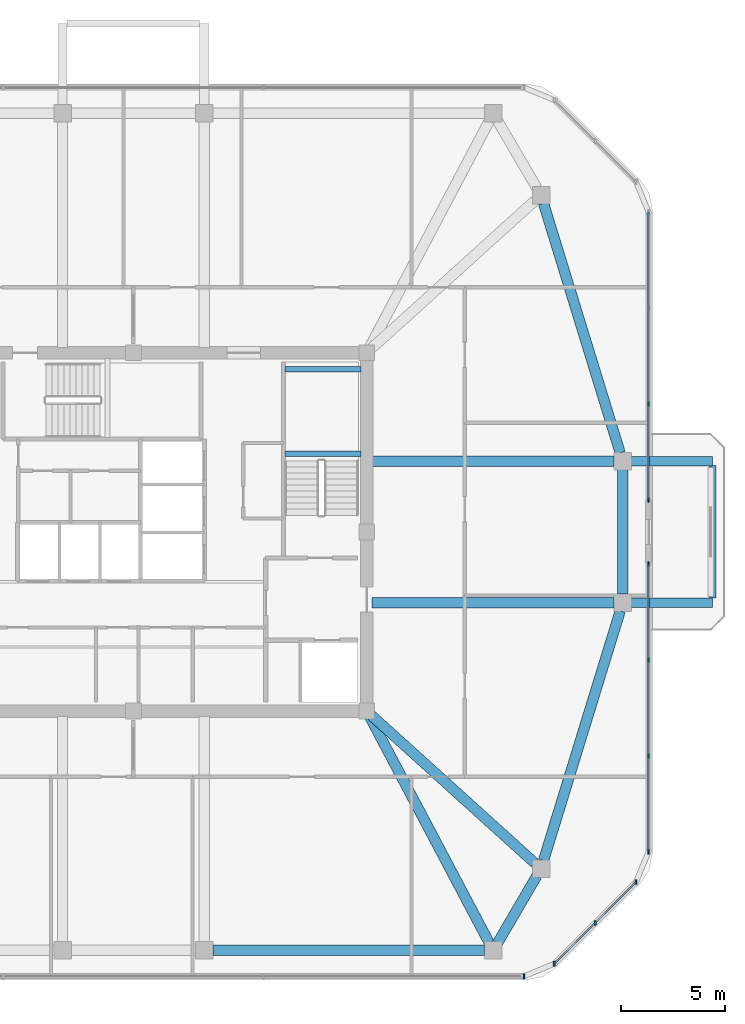
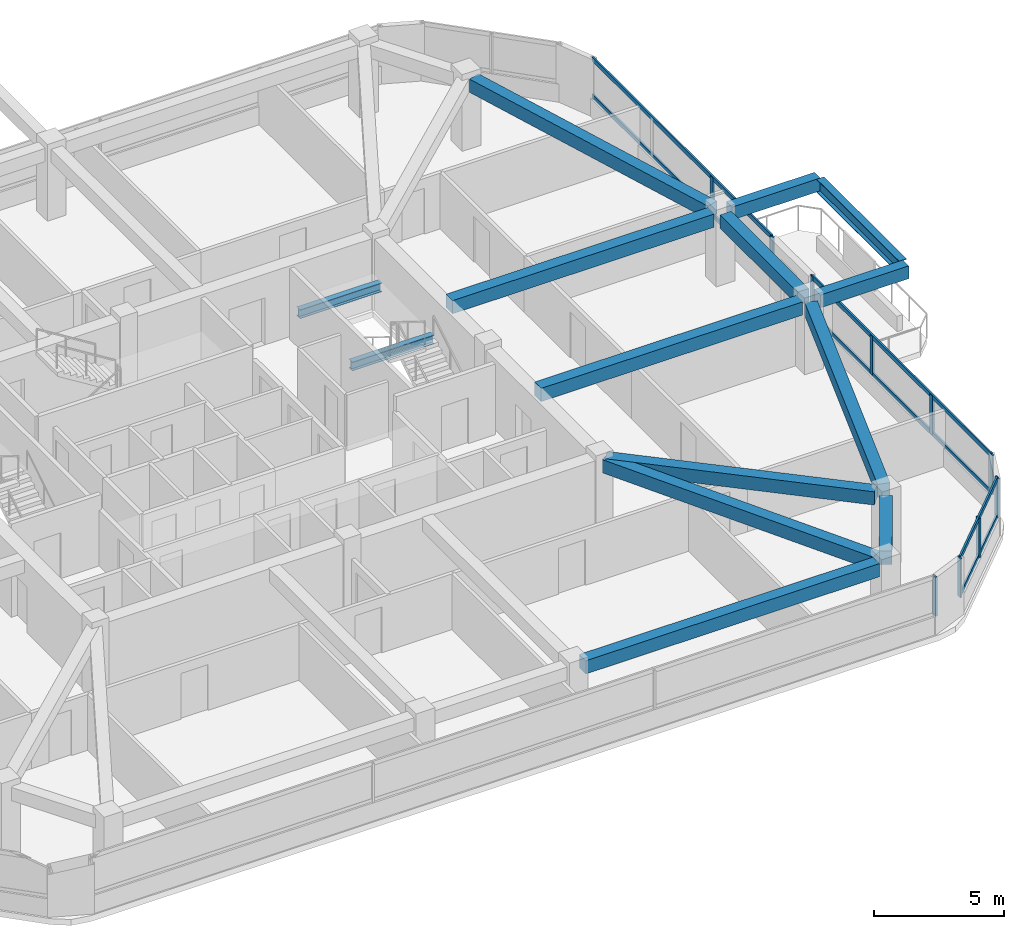
# One storey, part 5 of 14: 16 members, 14 beams, 4 elements without a shape of their own.
"""IFC4 building model written with IfcOpenShell, lengths in metres."""

import ifcopenshell
import ifcopenshell.guid

model = None  # the IFC model being written
_history = None  # IfcOwnerHistory: only IFC2X3 demands one
_inside = {}  # id of a spatial element -> (the spatial element, [elements in it])
_under = {}  # id of a project, library or spatial element -> (it, [spatial elements below it])
_declared = {}  # id of a project -> (the project, [libraries it declares])
_typed = {}  # id of a type object -> (the type object, [elements of that type])
_made_of = {}  # id of a material, layer set ... -> (it, [elements and type objects made of it])


def new_model(schema):
    """Start an empty IFC model of exactly this schema.

    Asked for "IFC4X3", IfcOpenShell would pick the latest addendum, in which some entities
    have other attributes; the version numbers below select the first issue.
    IFC2X3 requires an IfcOwnerHistory on every rooted entity: one is made here for all.
    """
    global model, _history
    if schema == "IFC4X3":
        model = ifcopenshell.file(schema_version=(4, 3, 0, 0))
    else:
        model = ifcopenshell.file(schema=schema)
    _inside.clear()
    _under.clear()
    _declared.clear()
    _typed.clear()
    _made_of.clear()
    _history = None
    if model.schema == "IFC2X3":
        org = make("IfcOrganization", Name="unknown")
        user = make(
            "IfcPersonAndOrganization",
            ThePerson=make("IfcPerson", FamilyName="unknown"),
            TheOrganization=org,
        )
        app = make(
            "IfcApplication",
            ApplicationDeveloper=org,
            Version="unknown",
            ApplicationFullName="unknown",
            ApplicationIdentifier="unknown",
        )
        _history = make(
            "IfcOwnerHistory",
            OwningUser=user,
            OwningApplication=app,
            ChangeAction="ADDED",
            CreationDate=0,
        )
    return model


def make(cls, **values):
    """One entity of the class cls with the attributes given. An attribute that is None is left unset."""
    return model.create_entity(
        cls, **{name: value for name, value in values.items() if value is not None}
    )


def rooted(cls, **values):
    """An entity with a GlobalId (a new one), such as an element, a storey or a relation."""
    return make(cls, GlobalId=ifcopenshell.guid.new(), OwnerHistory=_history, **values)


def si_unit(unit_type, name, prefix=None):
    """IfcSIUnit, for example si_unit("LENGTHUNIT", "METRE", prefix="MILLI")."""
    return make("IfcSIUnit", UnitType=unit_type, Prefix=prefix, Name=name)


def derived_unit(unit_type, elements):
    """IfcDerivedUnit: a product of units, each with its exponent."""
    return make(
        "IfcDerivedUnit",
        Elements=[
            make("IfcDerivedUnitElement", Unit=unit, Exponent=power)
            for unit, power in elements
        ],
        UnitType=unit_type,
    )


def assignment(units):
    """IfcUnitAssignment: the units of a project."""
    return None if units is None else make("IfcUnitAssignment", Units=units)


def point(xyz):
    """IfcCartesianPoint."""
    return None if xyz is None else make("IfcCartesianPoint", Coordinates=xyz)


def direction(xyz):
    """IfcDirection."""
    return None if xyz is None else make("IfcDirection", DirectionRatios=xyz)


def frame(location, z_axis=None, x_axis=None):
    """IfcAxis2Placement3D, a coordinate frame: its origin and axes. An axis left out is left unset."""
    return make(
        "IfcAxis2Placement3D",
        Location=point(location),
        Axis=direction(z_axis),
        RefDirection=direction(x_axis),
    )


def frame_2d(location, x_axis=None):
    """IfcAxis2Placement2D, a coordinate frame in the plane: its origin and x axis."""
    return make(
        "IfcAxis2Placement2D", Location=point(location), RefDirection=direction(x_axis)
    )


def origin():
    """The frame at (0, 0, 0) with its axes left unset."""
    return frame((0.0, 0.0, 0.0))


def origin_2d():
    """The frame at (0, 0) in the plane with its x axis left unset."""
    return frame_2d((0.0, 0.0))


def place(relative_to, where):
    """IfcLocalPlacement: puts the frame where relative to a parent placement (None: the world)."""
    return make(
        "IfcLocalPlacement", PlacementRelTo=relative_to, RelativePlacement=where
    )


def context(
    kind, dimensions, precision=None, world=None, true_north=None, identifier=None
):
    """IfcGeometricRepresentationContext, for example the 3D "Model" context."""
    return make(
        "IfcGeometricRepresentationContext",
        ContextIdentifier=identifier,
        ContextType=kind,
        CoordinateSpaceDimension=dimensions,
        Precision=precision,
        WorldCoordinateSystem=world,
        TrueNorth=true_north,
    )


def subcontext(parent, identifier, kind, view, scale=None):
    """IfcGeometricRepresentationSubContext, for example "Body" below "Model"."""
    return make(
        "IfcGeometricRepresentationSubContext",
        ContextIdentifier=identifier,
        ContextType=kind,
        ParentContext=parent,
        TargetScale=scale,
        TargetView=view,
    )


def project(units=None, contexts=None):
    """IfcProject with its units and contexts."""
    return rooted(
        "IfcProject",
        Name="project",
        RepresentationContexts=contexts,
        UnitsInContext=assignment(units),
    )


def spatial(cls, under=None, at=None, **own):
    """A site, building, storey or space (cls), placed at a placement, below another one or the project."""
    s = rooted(cls, ObjectPlacement=at, **own)
    if under is not None:
        _under.setdefault(under.id(), (under, []))[1].append(s)
    return s


def profile(cls, at=None, kind="AREA", **sizes):
    """A parametric profile (cls). Its sizes go by their IFC names, for example OverallWidth=200.0."""
    return make(cls, ProfileType=kind, Position=at, **sizes)


def rectangle(**sizes):
    """IfcRectangleProfileDef."""
    return profile("IfcRectangleProfileDef", **sizes)


def i_section(**sizes):
    """IfcIShapeProfileDef."""
    return profile("IfcIShapeProfileDef", **sizes)


def extrude(swept, where, along, depth):
    """IfcExtrudedAreaSolid: the profile swept, set in the frame where, extruded along a direction by depth."""
    return make(
        "IfcExtrudedAreaSolid",
        SweptArea=swept,
        Position=where,
        ExtrudedDirection=direction(along),
        Depth=depth,
    )


def shape(context_of_items, identifier, shape_type, items):
    """IfcShapeRepresentation: the items that make up one representation, for example the "Body"."""
    return make(
        "IfcShapeRepresentation",
        ContextOfItems=context_of_items,
        RepresentationIdentifier=identifier,
        RepresentationType=shape_type,
        Items=items,
    )


def material(Name=None, Category=None):
    """IfcMaterial."""
    return make("IfcMaterial", Name=Name, Category=Category)


def material_profile(
    of_material, cross_section, Name=None, Category=None, Priority=None
):
    """IfcMaterialProfile: a cross section and its material."""
    return make(
        "IfcMaterialProfile",
        Name=Name,
        Material=of_material,
        Profile=cross_section,
        Priority=Priority,
        Category=Category,
    )


def profile_set(profiles, Name=None, composite=None):
    """IfcMaterialProfileSet."""
    return make(
        "IfcMaterialProfileSet",
        Name=Name,
        MaterialProfiles=profiles,
        CompositeProfile=composite,
    )


def made_of(thing, what):
    """Note that an element or type object is made of a material, layer set ...; save() writes the relation."""
    if what is not None:
        _made_of.setdefault(what.id(), (what, []))[1].append(thing)
    return thing


def type_object(cls, material=None, **own):
    """A type object (cls), such as IfcWallType, which elements share."""
    return made_of(rooted(cls, **own), material)


def element(
    cls,
    number,
    at=None,
    inside=None,
    cuts=None,
    type_object=None,
    material=None,
    context=None,
    identifier="Body",
    shape_type=None,
    held_by="IfcProductDefinitionShape",
    body=None,
    shapes=None,
    **own,
):
    """One element of the class cls, such as IfcWall. Its Tag is "e" and its number.

    at: its placement. inside: the storey or other place that contains it. cuts: it is an
    opening in that element (IfcRelVoidsElement). A single representation is given by context,
    identifier, shape_type and body (its items); several are given by shapes. held_by: the class
    of the entity that holds the representations. save() writes the other relations.
    """
    e = rooted(cls, Tag="e%d" % number, ObjectPlacement=at, **own)
    if body is not None:
        shapes = [shape(context, identifier, shape_type, body)]
    if shapes is not None:
        e.Representation = make(held_by, Representations=shapes)
    if inside is not None:
        _inside.setdefault(inside.id(), (inside, []))[1].append(e)
    if cuts is not None:
        rooted(
            "IfcRelVoidsElement", RelatingBuildingElement=cuts, RelatedOpeningElement=e
        )
    if type_object is not None:
        _typed.setdefault(type_object.id(), (type_object, []))[1].append(e)
    return made_of(e, material)


def aggregate(whole, parts):
    """IfcRelAggregates: a whole, such as a stair, and the parts it consists of."""
    return rooted("IfcRelAggregates", RelatingObject=whole, RelatedObjects=parts)


def save(model, path):
    """Write the relations noted so far, then the file.

    IfcRelAggregates (storeys below a building ...), IfcRelContainedInSpatialStructure (elements
    in a storey), IfcRelDefinesByType, IfcRelAssociatesMaterial and IfcRelDeclares: one each for
    every whole, place, type object, material and project.
    """
    for whole, parts in _under.values():
        aggregate(whole, parts)
    for where, things in _inside.values():
        rooted(
            "IfcRelContainedInSpatialStructure",
            RelatedElements=things,
            RelatingStructure=where,
        )
    for kind, things in _typed.values():
        rooted("IfcRelDefinesByType", RelatedObjects=things, RelatingType=kind)
    for what, things in _made_of.values():
        rooted("IfcRelAssociatesMaterial", RelatedObjects=things, RelatingMaterial=what)
    for by, libraries in _declared.values():
        rooted("IfcRelDeclares", RelatingContext=by, RelatedDefinitions=libraries)
    model.write(path)


model = new_model("IFC4")

# Units and contexts
model_context = context("Model", 3, precision=1e-05, world=origin(), true_north=direction((0.0, 1.0)))
body_context = subcontext(model_context, "Body", "Model", "MODEL_VIEW")
ifc_project = project(units=[si_unit("LENGTHUNIT", "METRE"), si_unit("AREAUNIT", "SQUARE_METRE"), si_unit("VOLUMEUNIT", "CUBIC_METRE"), si_unit("PLANEANGLEUNIT", "RADIAN"), si_unit("MASSUNIT", "GRAM", prefix="KILO"), derived_unit("THERMALTRANSMITTANCEUNIT", [(si_unit("POWERUNIT", "WATT"), 1), (si_unit("LENGTHUNIT", "METRE"), -2), (si_unit("THERMODYNAMICTEMPERATUREUNIT", "KELVIN"), -1)])], contexts=[model_context])

# Site, building, storey
site_placement = place(None, origin())
site = spatial("IfcSite", under=ifc_project, at=site_placement, CompositionType="ELEMENT")
building_placement = place(site_placement, origin())
building = spatial("IfcBuilding", under=site, at=building_placement, Name="Koralith Skygarden Medical Center", CompositionType="ELEMENT")
storey_placement = place(building_placement, frame((0.0, 0.0, 257.219970703125)))
storey = spatial("IfcBuildingStorey", under=building, at=storey_placement, Name="L66", CompositionType="ELEMENT", Elevation=257.219970703125)

# Curtain wall, member
ifc_material_1 = material(Name="Clear Laminated Glass", Category="glass")
curtain_wall_type = type_object("IfcCurtainWallType", Name="CW-6 Zone 5 Upper Clinical Curtain Wall", PredefinedType="NOTDEFINED", material=ifc_material_1)
curtain_wall_1_placement = place(storey_placement, origin())
curtain_wall_1 = element("IfcCurtainWall", 1, at=curtain_wall_1_placement, inside=storey, type_object=curtain_wall_type, Name="Curtain Wall CW-L66-S", PredefinedType="NOTDEFINED")
ifc_material_2 = material(Name="Aluminium 6063-T6", Category="aluminium")
ifc_material_profile_1 = material_profile(ifc_material_2, rectangle(XDim=0.0830078125, YDim=0.219970703125, at=origin_2d()), Name="MUL83X220")
ifc_profile_set_1 = profile_set([ifc_material_profile_1], Name="Aluminium 6063-T6")
member_type_1 = type_object("IfcMemberType", Name="CW-6 Extruded Mullion 83x220", PredefinedType="MULLION", material=ifc_profile_set_1)
member_1_placement = place(storey_placement, frame((55.7451171875, 4.580078125, 0.85009765625), z_axis=(0.0, 0.0, 1.0), x_axis=(1.0, 0.0, 0.0)))
member_1 = element("IfcMember", 2, at=member_1_placement, type_object=member_type_1, Name="CW-L66-S Mullion 4", PredefinedType="MULLION", context=body_context, shape_type="SweptSolid", body=[
    extrude(rectangle(XDim=0.0830078125, YDim=0.219970703125, at=origin_2d()), origin(), (0.0, 0.0, 1.0), 1.83984375),
])
aggregate(curtain_wall_1, [member_1])

# Curtain wall, members
curtain_wall_2_placement = place(storey_placement, origin())
curtain_wall_2 = element("IfcCurtainWall", 3, at=curtain_wall_2_placement, inside=storey, type_object=curtain_wall_type, Name="Curtain Wall CW-L66-SE", PredefinedType="NOTDEFINED")
member_2_placement = place(storey_placement, frame((57.196044921875, 5.180908203125, 0.85009765625), z_axis=(0.0, 0.0, 1.0), x_axis=(1.0, 0.0, 0.0)))
member_2 = element("IfcMember", 4, at=member_2_placement, type_object=member_type_1, Name="CW-L66-SE Mullion 1", PredefinedType="MULLION", context=body_context, shape_type="SweptSolid", body=[
    extrude(rectangle(XDim=0.0830078125, YDim=0.219970703125, at=origin_2d()), origin(), (0.0, 0.0, 1.0), 1.83984375),
])
member_3_placement = place(storey_placement, frame((59.156982421875, 7.14306640625, 0.85009765625), z_axis=(0.0, 0.0, 1.0), x_axis=(1.0, 0.0, 0.0)))
member_3 = element("IfcMember", 5, at=member_3_placement, type_object=member_type_1, Name="CW-L66-SE Mullion 2", PredefinedType="MULLION", context=body_context, shape_type="SweptSolid", body=[
    extrude(rectangle(XDim=0.0830078125, YDim=0.219970703125, at=origin_2d()), origin(), (0.0, 0.0, 1.0), 1.83984375),
])
member_4_placement = place(storey_placement, frame((61.118896484375, 9.10400390625, 0.85009765625), z_axis=(0.0, 0.0, 1.0), x_axis=(1.0, 0.0, 0.0)))
member_4 = element("IfcMember", 6, at=member_4_placement, type_object=member_type_1, Name="CW-L66-SE Mullion 3", PredefinedType="MULLION", context=body_context, shape_type="SweptSolid", body=[
    extrude(rectangle(XDim=0.0830078125, YDim=0.219970703125, at=origin_2d()), origin(), (0.0, 0.0, 1.0), 1.83984375),
])

curtain_wall_3_placement = place(storey_placement, origin())
curtain_wall_3 = element("IfcCurtainWall", 7, at=curtain_wall_3_placement, inside=storey, type_object=curtain_wall_type, Name="Curtain Wall CW-L66-E-L", PredefinedType="NOTDEFINED")
member_5_placement = place(storey_placement, frame((61.719970703125, 10.554931640625, 0.85009765625), z_axis=(0.0, 0.0, 1.0), x_axis=(1.0, 0.0, 0.0)))
member_5 = element("IfcMember", 8, at=member_5_placement, type_object=member_type_1, Name="CW-L66-E-L Mullion 1", PredefinedType="MULLION", context=body_context, shape_type="SweptSolid", body=[
    extrude(rectangle(XDim=0.0830078125, YDim=0.219970703125, at=origin_2d()), origin(), (0.0, 0.0, 1.0), 1.83984375),
])
member_6_placement = place(storey_placement, frame((61.719970703125, 15.156982421875, 0.85009765625), z_axis=(0.0, 0.0, 1.0), x_axis=(1.0, 0.0, 0.0)))
member_6 = element("IfcMember", 9, at=member_6_placement, type_object=member_type_1, Name="CW-L66-E-L Mullion 2", PredefinedType="MULLION", context=body_context, shape_type="SweptSolid", body=[
    extrude(rectangle(XDim=0.0830078125, YDim=0.219970703125, at=origin_2d()), origin(), (0.0, 0.0, 1.0), 1.83984375),
])
member_7_placement = place(storey_placement, frame((61.719970703125, 19.758056640625, 0.85009765625), z_axis=(0.0, 0.0, 1.0), x_axis=(1.0, 0.0, 0.0)))
member_7 = element("IfcMember", 10, at=member_7_placement, type_object=member_type_1, Name="CW-L66-E-L Mullion 3", PredefinedType="MULLION", context=body_context, shape_type="SweptSolid", body=[
    extrude(rectangle(XDim=0.0830078125, YDim=0.219970703125, at=origin_2d()), origin(), (0.0, 0.0, 1.0), 1.83984375),
])
member_8_placement = place(storey_placement, frame((61.719970703125, 24.360107421875, 0.85009765625), z_axis=(0.0, 0.0, 1.0), x_axis=(1.0, 0.0, 0.0)))
member_8 = element("IfcMember", 11, at=member_8_placement, type_object=member_type_1, Name="CW-L66-E-L Mullion 4", PredefinedType="MULLION", context=body_context, shape_type="SweptSolid", body=[
    extrude(rectangle(XDim=0.0830078125, YDim=0.219970703125, at=origin_2d()), origin(), (0.0, 0.0, 1.0), 1.83984375),
])

curtain_wall_4_placement = place(storey_placement, origin())
curtain_wall_4 = element("IfcCurtainWall", 12, at=curtain_wall_4_placement, inside=storey, type_object=curtain_wall_type, Name="Curtain Wall CW-L66-E-R", PredefinedType="NOTDEFINED")
member_9_placement = place(storey_placement, frame((61.719970703125, 27.43994140625, 0.85009765625), z_axis=(0.0, 0.0, 1.0), x_axis=(1.0, 0.0, 0.0)))
member_9 = element("IfcMember", 13, at=member_9_placement, type_object=member_type_1, Name="CW-L66-E-R Mullion 1", PredefinedType="MULLION", context=body_context, shape_type="SweptSolid", body=[
    extrude(rectangle(XDim=0.0830078125, YDim=0.219970703125, at=origin_2d()), origin(), (0.0, 0.0, 1.0), 1.83984375),
])
member_10_placement = place(storey_placement, frame((61.719970703125, 32.0419921875, 0.85009765625), z_axis=(0.0, 0.0, 1.0), x_axis=(1.0, 0.0, 0.0)))
member_10 = element("IfcMember", 14, at=member_10_placement, type_object=member_type_1, Name="CW-L66-E-R Mullion 2", PredefinedType="MULLION", context=body_context, shape_type="SweptSolid", body=[
    extrude(rectangle(XDim=0.0830078125, YDim=0.219970703125, at=origin_2d()), origin(), (0.0, 0.0, 1.0), 1.83984375),
])

# Member
ifc_material_profile_2 = material_profile(ifc_material_2, rectangle(XDim=0.077880859375, YDim=0.197998046875, at=origin_2d()), Name="TRN78X198")
ifc_profile_set_2 = profile_set([ifc_material_profile_2], Name="Aluminium 6063-T6")
member_type_2 = type_object("IfcMemberType", Name="CW-6 Thermal Transom 78x198", PredefinedType="USERDEFINED", material=ifc_profile_set_2)
member_11_placement = place(storey_placement, frame((57.196044921875, 5.180908203125, 0.900146484375), z_axis=(0.707084777957, 0.707128783731, 0.0), x_axis=(-0.707128783731, 0.707084777957, 0.0)))
member_11 = element("IfcMember", 15, at=member_11_placement, type_object=member_type_2, Name="CW-L66-SE Transom 1", ObjectType="TRANSOM", PredefinedType="USERDEFINED", context=body_context, shape_type="SweptSolid", body=[
    extrude(rectangle(XDim=0.077880859375, YDim=0.197998046875, at=origin_2d()), origin(), (0.0, 0.0, 1.0), 5.5478515625),
])

member_12_placement = place(storey_placement, frame((57.196044921875, 5.180908203125, 2.64013671875), z_axis=(0.707084777957, 0.707128783731, 0.0), x_axis=(-0.707128783731, 0.707084777957, 0.0)))
member_12 = element("IfcMember", 16, at=member_12_placement, type_object=member_type_2, Name="CW-L66-SE Transom 2", ObjectType="TRANSOM", PredefinedType="USERDEFINED", context=body_context, shape_type="SweptSolid", body=[
    extrude(rectangle(XDim=0.077880859375, YDim=0.197998046875, at=origin_2d()), origin(), (0.0, 0.0, 1.0), 5.5478515625),
])

aggregate(curtain_wall_2, [member_2, member_3, member_4, member_11, member_12])

member_13_placement = place(storey_placement, frame((61.719970703125, 10.554931640625, 0.900146484375), z_axis=(0.0, 1.0, 0.0), x_axis=(-1.0, 0.0, 0.0)))
member_13 = element("IfcMember", 17, at=member_13_placement, type_object=member_type_2, Name="CW-L66-E-L Transom 1", ObjectType="TRANSOM", PredefinedType="USERDEFINED", context=body_context, shape_type="SweptSolid", body=[
    extrude(rectangle(XDim=0.077880859375, YDim=0.197998046875, at=origin_2d()), origin(), (0.0, 0.0, 1.0), 13.80517578125),
])

member_14_placement = place(storey_placement, frame((61.719970703125, 10.554931640625, 2.64013671875), z_axis=(0.0, 1.0, 0.0), x_axis=(-1.0, 0.0, 0.0)))
member_14 = element("IfcMember", 18, at=member_14_placement, type_object=member_type_2, Name="CW-L66-E-L Transom 2", ObjectType="TRANSOM", PredefinedType="USERDEFINED", context=body_context, shape_type="SweptSolid", body=[
    extrude(rectangle(XDim=0.077880859375, YDim=0.197998046875, at=origin_2d()), origin(), (0.0, 0.0, 1.0), 13.80517578125),
])

aggregate(curtain_wall_3, [member_5, member_6, member_7, member_8, member_13, member_14])

member_15_placement = place(storey_placement, frame((61.719970703125, 27.43994140625, 0.900146484375), z_axis=(0.0, 1.0, 0.0), x_axis=(-1.0, 0.0, 0.0)))
member_15 = element("IfcMember", 19, at=member_15_placement, type_object=member_type_2, Name="CW-L66-E-R Transom 1", ObjectType="TRANSOM", PredefinedType="USERDEFINED", context=body_context, shape_type="SweptSolid", body=[
    extrude(rectangle(XDim=0.077880859375, YDim=0.197998046875, at=origin_2d()), origin(), (0.0, 0.0, 1.0), 13.80517578125),
])

member_16_placement = place(storey_placement, frame((61.719970703125, 27.43994140625, 2.64013671875), z_axis=(0.0, 1.0, 0.0), x_axis=(-1.0, 0.0, 0.0)))
member_16 = element("IfcMember", 20, at=member_16_placement, type_object=member_type_2, Name="CW-L66-E-R Transom 2", ObjectType="TRANSOM", PredefinedType="USERDEFINED", context=body_context, shape_type="SweptSolid", body=[
    extrude(rectangle(XDim=0.077880859375, YDim=0.197998046875, at=origin_2d()), origin(), (0.0, 0.0, 1.0), 13.80517578125),
])

aggregate(curtain_wall_4, [member_9, member_10, member_15, member_16])

# Beams
ifc_material_3 = material(Name="Steel ASTM A992 Grade 50", Category="steel")
ifc_material_profile_3 = material_profile(ifc_material_3, i_section(OverallWidth=0.326904296875, OverallDepth=0.6220703125, WebThickness=0.015380859375, FlangeThickness=0.0244140625, at=origin_2d()), Name="W24X131")
ifc_profile_set_3 = profile_set([ifc_material_profile_3], Name="Steel ASTM A992 Grade 50")
beam_type_1 = type_object("IfcBeamType", Name="Cantilever Tie Beam W24X131", PredefinedType="BEAM", material=ifc_profile_set_3)
beam_1_placement = place(storey_placement, frame((64.800048828125, 22.719970703125, 3.029052734375), z_axis=(0.0, 1.0, 0.0), x_axis=(-1.0, 0.0, 0.0)))
element("IfcBeam", 21, at=beam_1_placement, inside=storey, type_object=beam_type_1, Name="L67 E Balcony Tip Tie Beam", PredefinedType="BEAM", context=body_context, shape_type="SweptSolid", body=[
    extrude(i_section(OverallWidth=0.326904296875, OverallDepth=0.6220703125, WebThickness=0.015380859375, FlangeThickness=0.0244140625, at=origin_2d()), origin(), (0.0, 0.0, 1.0), 6.360107421875),
])
ifc_material_profile_4 = material_profile(ifc_material_3, i_section(OverallWidth=0.260009765625, OverallDepth=0.4150390625, WebThickness=0.010009765625, FlangeThickness=0.016845703125, at=origin_2d()), Name="W16X67")
ifc_profile_set_4 = profile_set([ifc_material_profile_4], Name="Steel ASTM A992 Grade 50")
beam_type_2 = type_object("IfcBeamType", Name="Clinical Floor Joist W16X67", PredefinedType="JOIST", material=ifc_profile_set_4)
for number, where, z_axis, x_axis, name in (
    (22, (44.280029296875, 29.659912109375, 1.39306640625), (1.0, 0.0, 0.0), (0.0, 1.0, 0.0), "L66 Stair ST2 Half-Landing Support Beam 1A"),
    (23, (44.280029296875, 33.699951171875, 1.39306640625), (1.0, 0.0, 0.0), (0.0, 1.0, 0.0), "L66 Stair ST2 Half-Landing Support Beam 1B"),
):
    element("IfcBeam", number, at=place(storey_placement, frame(where, z_axis=z_axis, x_axis=x_axis)), inside=storey, type_object=beam_type_2, Name=name, PredefinedType="JOIST", context=body_context, shape_type="SweptSolid", body=[
        extrude(i_section(OverallWidth=0.260009765625, OverallDepth=0.4150390625, WebThickness=0.010009765625, FlangeThickness=0.016845703125, at=origin_2d()), origin(), (0.0, 0.0, 1.0), 3.639892578125),
    ])
ifc_material_4 = material(Name="Concrete C45/55", Category="concrete")
ifc_material_profile_5 = material_profile(ifc_material_4, rectangle(XDim=0.449951171875, YDim=0.60009765625, at=origin_2d()), Name="RCB450X600")
ifc_profile_set_5 = profile_set([ifc_material_profile_5], Name="Concrete C45/55")
beam_type_3 = type_object("IfcBeamType", Name="Planted Balcony Cantilever Beam RCB450X600", PredefinedType="BEAM", material=ifc_profile_set_5)
for number, where, z_axis, x_axis, name in (
    (24, (60.8798828125, 22.5, 3.0400390625), (1.0, 0.0, 0.0), (0.0, 1.0, 0.0), "L67 E Balcony Cantilever Beam A"),
    (25, (60.8798828125, 29.300048828125, 3.0400390625), (1.0, 0.0, 0.0), (0.0, 1.0, 0.0), "L67 E Balcony Cantilever Beam B"),
):
    element("IfcBeam", number, at=place(storey_placement, frame(where, z_axis=z_axis, x_axis=x_axis)), inside=storey, type_object=beam_type_3, Name=name, PredefinedType="BEAM", context=body_context, shape_type="SweptSolid", body=[
        extrude(rectangle(XDim=0.449951171875, YDim=0.60009765625, at=origin_2d()), origin(), (0.0, 0.0, 1.0), 3.920166015625),
    ])
ifc_material_profile_6 = material_profile(ifc_material_4, rectangle(XDim=0.5, YDim=0.6201171875, at=origin_2d()), Name="RCB500X620")
ifc_profile_set_6 = profile_set([ifc_material_profile_6], Name="Concrete C45/55")
beam_type_4 = type_object("IfcBeamType", Name="Upper Radial Collector Beam RCB500X620", PredefinedType="BEAM", material=ifc_profile_set_6)
beam_2_placement = place(storey_placement, frame((48.31689453125, 17.0791015625, 3.010009765625), z_axis=(0.46724871287, -0.884125918816, 0.0), x_axis=(0.884125918816, 0.46724871287, 0.0)))
element("IfcBeam", 26, at=beam_2_placement, inside=storey, type_object=beam_type_4, Name="L66 Radial Collector Beam RB-06", PredefinedType="BEAM", context=body_context, shape_type="SweptSolid", body=[
    extrude(rectangle(XDim=0.5, YDim=0.6201171875, at=origin_2d()), origin(), (0.0, 0.0, 1.0), 12.325439453125),
])
beam_3_placement = place(storey_placement, frame((48.385009765625, 17.132080078125, 3.010009765625), z_axis=(0.741736323186, -0.670691603397, 0.0), x_axis=(0.670691603397, 0.741736323186, 0.0)))
element("IfcBeam", 27, at=beam_3_placement, inside=storey, type_object=beam_type_4, Name="L66 Radial Collector Beam RB-07", PredefinedType="BEAM", context=body_context, shape_type="SweptSolid", body=[
    extrude(rectangle(XDim=0.5, YDim=0.6201171875, at=origin_2d()), origin(), (0.0, 0.0, 1.0), 10.61181640625),
])
for number, where, z_axis, x_axis, name in (
    (28, (48.449951171875, 22.5, 3.010009765625), (1.0, 0.0, 0.0), (0.0, 1.0, 0.0), "L66 Radial Collector Beam RB-08"),
    (29, (48.449951171875, 29.300048828125, 3.010009765625), (1.0, 0.0, 0.0), (0.0, 1.0, 0.0), "L66 Radial Collector Beam RB-09"),
):
    element("IfcBeam", number, at=place(storey_placement, frame(where, z_axis=z_axis, x_axis=x_axis)), inside=storey, type_object=beam_type_4, Name=name, PredefinedType="BEAM", context=body_context, shape_type="SweptSolid", body=[
        extrude(rectangle(XDim=0.5, YDim=0.6201171875, at=origin_2d()), origin(), (0.0, 0.0, 1.0), 11.6201171875),
    ])
ifc_material_profile_7 = material_profile(ifc_material_4, rectangle(XDim=0.5, YDim=0.6201171875, at=origin_2d()), Name="RCB500X620")
ifc_profile_set_7 = profile_set([ifc_material_profile_7], Name="Concrete C45/55")
beam_type_5 = type_object("IfcBeamType", Name="Zone 4-5 Spandrel Beam RCB500X620", PredefinedType="SPANDREL", material=ifc_profile_set_7)
beam_4_placement = place(storey_placement, frame((40.81005859375, 5.820068359375, 3.010009765625), z_axis=(1.0, 0.0, 0.0), x_axis=(0.0, 1.0, 0.0)))
element("IfcBeam", 30, at=beam_4_placement, inside=storey, type_object=beam_type_5, Name="L66 Perimeter Spandrel Beam SP-05", PredefinedType="SPANDREL", context=body_context, shape_type="SweptSolid", body=[
    extrude(rectangle(XDim=0.5, YDim=0.6201171875, at=origin_2d()), origin(), (0.0, 0.0, 1.0), 13.0478515625),
])
beam_5_placement = place(storey_placement, frame((54.47509765625, 6.174072265625, 3.010009765625), z_axis=(0.50473571007, 0.863273921175, 0.0), x_axis=(-0.863273921175, 0.50473571007, 0.0)))
element("IfcBeam", 31, at=beam_5_placement, inside=storey, type_object=beam_type_5, Name="L66 Perimeter Spandrel Beam SP-06", PredefinedType="SPANDREL", context=body_context, shape_type="SweptSolid", body=[
    extrude(rectangle(XDim=0.5, YDim=0.6201171875, at=origin_2d()), origin(), (0.0, 0.0, 1.0), 3.720703125),
])
beam_6_placement = place(storey_placement, frame((56.679931640625, 10.132080078125, 3.010009765625), z_axis=(0.293743494914, 0.955884281279, 0.0), x_axis=(-0.955884281279, 0.293743494914, 0.0)))
element("IfcBeam", 32, at=beam_6_placement, inside=storey, type_object=beam_type_5, Name="L66 Perimeter Spandrel Beam SP-07", PredefinedType="SPANDREL", context=body_context, shape_type="SweptSolid", body=[
    extrude(rectangle(XDim=0.5, YDim=0.6201171875, at=origin_2d()), origin(), (0.0, 0.0, 1.0), 12.528564453125),
])
beam_7_placement = place(storey_placement, frame((60.47998046875, 22.909912109375, 3.010009765625), z_axis=(0.0, 1.0, 0.0), x_axis=(-1.0, 0.0, 0.0)))
element("IfcBeam", 33, at=beam_7_placement, inside=storey, type_object=beam_type_5, Name="L66 Perimeter Spandrel Beam SP-08", PredefinedType="SPANDREL", context=body_context, shape_type="SweptSolid", body=[
    extrude(rectangle(XDim=0.5, YDim=0.6201171875, at=origin_2d()), origin(), (0.0, 0.0, 1.0), 5.97998046875),
])
beam_8_placement = place(storey_placement, frame((60.360107421875, 29.69189453125, 3.010009765625), z_axis=(-0.293738023424, 0.955885962652, 0.0), x_axis=(-0.955885962652, -0.293738023424, 0.0)))
element("IfcBeam", 34, at=beam_8_placement, inside=storey, type_object=beam_type_5, Name="L66 Perimeter Spandrel Beam SP-09", PredefinedType="SPANDREL", context=body_context, shape_type="SweptSolid", body=[
    extrude(rectangle(XDim=0.5, YDim=0.6201171875, at=origin_2d()), origin(), (0.0, 0.0, 1.0), 12.52880859375),
])

save(model, "model.ifc")
